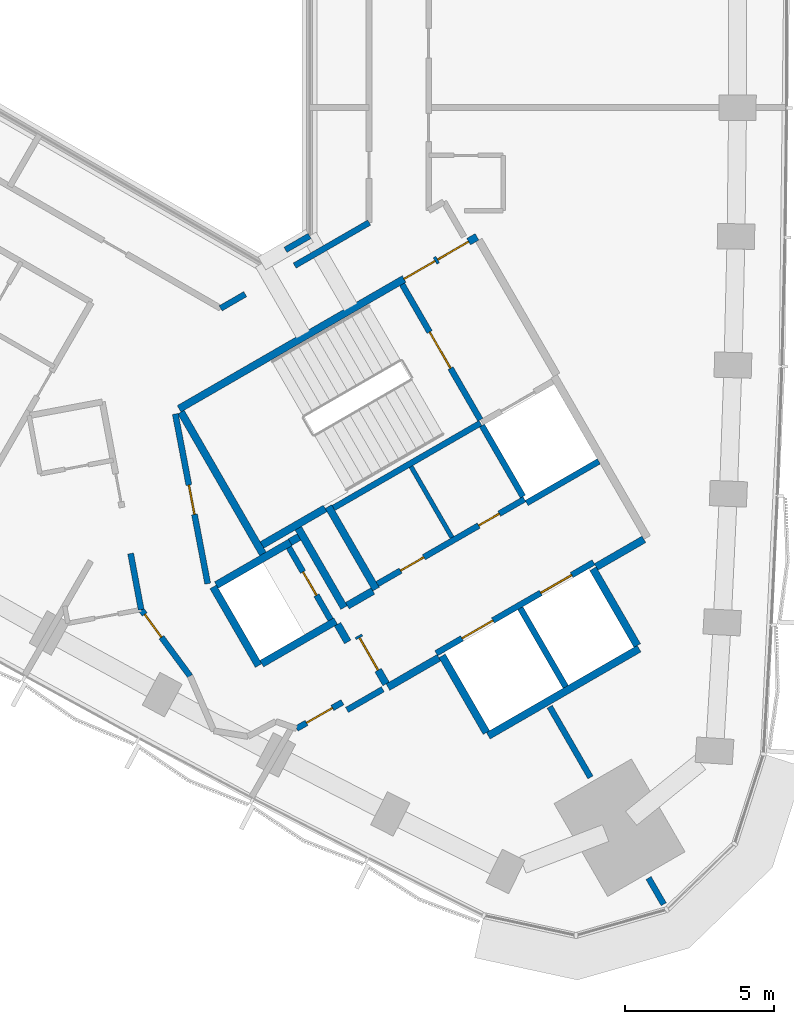
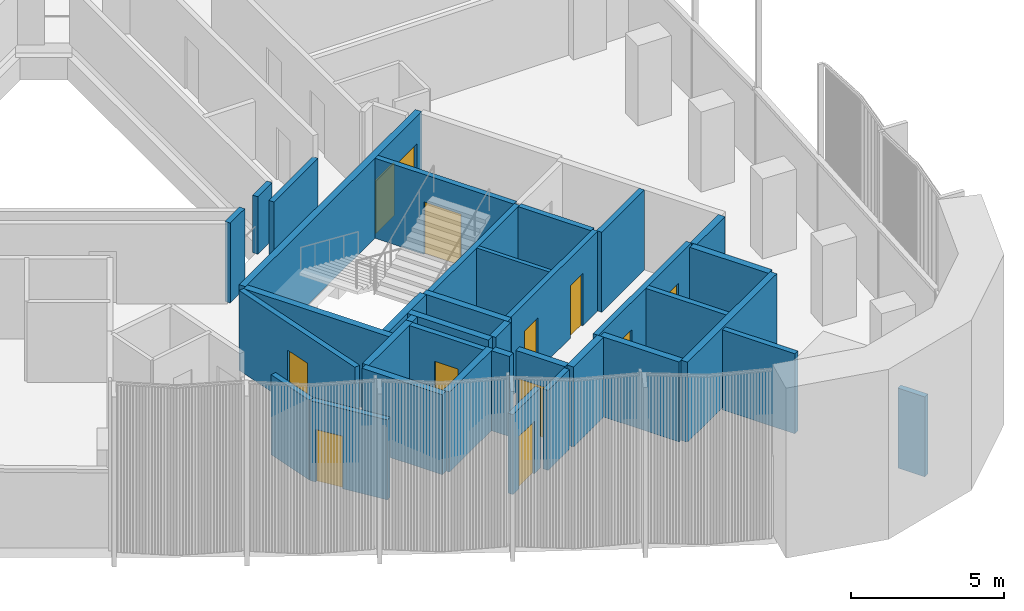
# One storey, part 9 of 15: 36 walls, 12 doors, 12 openings.
"""IFC4 building model written with IfcOpenShell, lengths in metres."""

from ifc_helpers import new_model, si_unit, direction, frame, frame_2d, origin, place, context, subcontext, project, spatial, rectangle, extrude, material, layer, layer_set, type_object, element, fill, save


model = new_model("IFC4")

# Units and contexts
model_context = context("Model", 3, precision=1e-05, world=origin(), true_north=direction((0.0, 1.0)))
body_context = subcontext(model_context, "Body", "Model", "MODEL_VIEW")
ifc_project = project(units=[si_unit("LENGTHUNIT", "METRE"), si_unit("AREAUNIT", "SQUARE_METRE"), si_unit("VOLUMEUNIT", "CUBIC_METRE"), si_unit("PLANEANGLEUNIT", "RADIAN"), si_unit("MASSUNIT", "GRAM", prefix="KILO")], contexts=[model_context])

# Site, building, storey
site_placement = place(None, origin())
site = spatial("IfcSite", under=ifc_project, at=site_placement, CompositionType="ELEMENT")
building_placement = place(site_placement, origin())
building = spatial("IfcBuilding", under=site, at=building_placement, Name="Tamra Quay Hotel Tower", CompositionType="ELEMENT")
storey_placement = place(building_placement, frame((0.0, 0.0, 128.800048828125)))
storey = spatial("IfcBuildingStorey", under=building, at=storey_placement, Name="L31", CompositionType="ELEMENT", Elevation=128.800048828125)

# Wall, openings, doors
ifc_material_1 = material(Name="Concrete M70", Category="concrete")
ifc_layer_1 = layer(ifc_material_1, 0.199951171875)
ifc_layer_set_1 = layer_set([ifc_layer_1], Name="Concrete M70 core wall 200")
wall_type_1 = type_object("IfcWallType", Name="Concrete M70 core wall 200", PredefinedType="SHEAR", material=ifc_layer_set_1)
wall_1_placement = place(storey_placement, frame((9.052490234375, -20.479736328125, 0.0), z_axis=(0.0, 0.0, 1.0), x_axis=(0.866030299012, 0.499991521122, 0.0)))
wall_1 = element("IfcWall", 1, at=wall_1_placement, inside=storey, type_object=wall_type_1, Name="CW2", PredefinedType="SHEAR", context=body_context, shape_type="SweptSolid", body=[
    extrude(rectangle(XDim=6.10009765625, YDim=0.199951171875, at=frame_2d((3.050048828125, 0.0))), origin(), (0.0, 0.0, 1.0), 3.199951171875),
])
opening_1_placement = place(wall_1_placement, frame((1.0, 0.0, 0.0)))
opening_1 = element("IfcOpeningElement", 2, at=opening_1_placement, cuts=wall_1, Name="Opening LD", PredefinedType="OPENING", context=body_context, shape_type="SweptSolid", body=[
    extrude(rectangle(XDim=1.199951171875, YDim=2.10009765625, at=frame_2d((0.60009765625, 1.050048828125))), frame((0.0, 0.10986328125, 0.0), z_axis=(0.0, -1.0, 0.0), x_axis=(1.0, 0.0, 0.0)), (0.0, 0.0, 1.0), 0.219970703125),
])
opening_2_placement = place(wall_1_placement, frame((4.05029296875, 0.0, 0.0)))
opening_2 = element("IfcOpeningElement", 3, at=opening_2_placement, cuts=wall_1, Name="Opening LD", PredefinedType="OPENING", context=body_context, shape_type="SweptSolid", body=[
    extrude(rectangle(XDim=1.199951171875, YDim=2.10009765625, at=frame_2d((0.60009765625, 1.050048828125))), frame((0.0, 0.10986328125, 0.0), z_axis=(0.0, -1.0, 0.0), x_axis=(1.0, 0.0, 0.0)), (0.0, 0.0, 1.0), 0.219970703125),
])
ifc_material_2 = material(Name="Landing door LD 1200 double door sliding")
door_type_1 = type_object("IfcDoorType", Name="Landing door LD 1200 double door sliding", OperationType="DOUBLE_DOOR_SLIDING", PredefinedType="DOOR", material=ifc_material_2)
door_1_placement = place(opening_1_placement, origin())
door_1 = element("IfcDoor", 4, at=door_1_placement, inside=storey, type_object=door_type_1, Name="LD", OperationType="DOUBLE_DOOR_SLIDING", OverallHeight=2.10009765625, OverallWidth=1.199951171875, PredefinedType="DOOR", context=body_context, shape_type="SweptSolid", body=[
    extrude(rectangle(XDim=1.199951171875, YDim=2.10009765625, at=frame_2d((0.60009765625, 1.050048828125))), frame((0.0, 0.02490234375, 0.0), z_axis=(0.0, -1.0, 0.0), x_axis=(1.0, 0.0, 0.0)), (0.0, 0.0, 1.0), 0.050048828125),
])
fill(opening_1, door_1)
door_2_placement = place(opening_2_placement, origin())
door_2 = element("IfcDoor", 5, at=door_2_placement, inside=storey, type_object=door_type_1, Name="LD", OperationType="DOUBLE_DOOR_SLIDING", OverallHeight=2.10009765625, OverallWidth=1.199951171875, PredefinedType="DOOR", context=body_context, shape_type="SweptSolid", body=[
    extrude(rectangle(XDim=1.199951171875, YDim=2.10009765625, at=frame_2d((0.60009765625, 1.050048828125))), frame((0.0, 0.02490234375, 0.0), z_axis=(0.0, -1.0, 0.0), x_axis=(1.0, 0.0, 0.0)), (0.0, 0.0, 1.0), 0.050048828125),
])
fill(opening_2, door_2)

# Wall
wall_2_placement = place(storey_placement, frame((10.537841796875, -12.751953125, 0.0), z_axis=(0.0, 0.0, 1.0), x_axis=(-0.866038630372, -0.499977090179, 0.0)))
element("IfcWall", 6, at=wall_2_placement, inside=storey, type_object=wall_type_1, Name="CW2", PredefinedType="SHEAR", context=body_context, shape_type="SweptSolid", body=[
    extrude(rectangle(XDim=5.698974609375, YDim=0.199951171875, at=frame_2d((2.849609375, 0.0))), origin(), (0.0, 0.0, 1.0), 3.199951171875),
])

# Wall, openings, doors
wall_3_placement = place(storey_placement, frame((7.0771484375, -18.156005859375, 0.0), z_axis=(0.0, 0.0, 1.0), x_axis=(0.866038630372, 0.499977090179, 0.0)))
wall_3 = element("IfcWall", 7, at=wall_3_placement, inside=storey, type_object=wall_type_1, Name="CW2", PredefinedType="SHEAR", context=body_context, shape_type="SweptSolid", body=[
    extrude(rectangle(XDim=5.698974609375, YDim=0.199951171875, at=frame_2d((2.849609375, 0.0))), origin(), (0.0, 0.0, 1.0), 3.199951171875),
])
opening_3_placement = place(wall_3_placement, frame((0.89892578125, 0.0, 0.0)))
opening_3 = element("IfcOpeningElement", 8, at=opening_3_placement, cuts=wall_3, Name="Opening D2", PredefinedType="OPENING", context=body_context, shape_type="SweptSolid", body=[
    extrude(rectangle(XDim=0.89990234375, YDim=2.10009765625, at=frame_2d((0.449951171875, 1.050048828125))), frame((0.0, 0.10986328125, 0.0), z_axis=(0.0, -1.0, 0.0), x_axis=(1.0, 0.0, 0.0)), (0.0, 0.0, 1.0), 0.219970703125),
])
opening_4_placement = place(wall_3_placement, frame((3.924072265625, 0.0, 0.0)))
opening_4 = element("IfcOpeningElement", 9, at=opening_4_placement, cuts=wall_3, Name="Opening D3", PredefinedType="OPENING", context=body_context, shape_type="SweptSolid", body=[
    extrude(rectangle(XDim=0.800048828125, YDim=2.10009765625, at=frame_2d((0.39990234375, 1.050048828125))), frame((0.0, 0.10986328125, 0.0), z_axis=(0.0, -1.0, 0.0), x_axis=(1.0, 0.0, 0.0)), (0.0, 0.0, 1.0), 0.219970703125),
])
ifc_material_3 = material(Name="Core door D2 900x2100 LH")
door_type_2 = type_object("IfcDoorType", Name="Core door D2 900x2100 LH", OperationType="NOTDEFINED", PredefinedType="DOOR", material=ifc_material_3)
door_3_placement = place(opening_3_placement, origin())
door_3 = element("IfcDoor", 10, at=door_3_placement, inside=storey, type_object=door_type_2, Name="D2", OperationType="SINGLE_SWING_LEFT", OverallHeight=2.10009765625, OverallWidth=0.89990234375, PredefinedType="DOOR", context=body_context, shape_type="SweptSolid", body=[
    extrude(rectangle(XDim=0.89990234375, YDim=2.10009765625, at=frame_2d((0.449951171875, 1.050048828125))), frame((0.0, 0.02490234375, 0.0), z_axis=(0.0, -1.0, 0.0), x_axis=(1.0, 0.0, 0.0)), (0.0, 0.0, 1.0), 0.050048828125),
])
fill(opening_3, door_3)
ifc_material_4 = material(Name="Core door D3 800x2100 RH")
door_type_3 = type_object("IfcDoorType", Name="Core door D3 800x2100 RH", OperationType="NOTDEFINED", PredefinedType="DOOR", material=ifc_material_4)
door_4_placement = place(opening_4_placement, origin())
door_4 = element("IfcDoor", 11, at=door_4_placement, inside=storey, type_object=door_type_3, Name="D3", OperationType="SINGLE_SWING_RIGHT", OverallHeight=2.10009765625, OverallWidth=0.800048828125, PredefinedType="DOOR", context=body_context, shape_type="SweptSolid", body=[
    extrude(rectangle(XDim=0.800048828125, YDim=2.10009765625, at=frame_2d((0.39990234375, 1.050048828125))), frame((0.0, 0.02490234375, 0.0), z_axis=(0.0, -1.0, 0.0), x_axis=(1.0, 0.0, 0.0)), (0.0, 0.0, 1.0), 0.050048828125),
])
fill(opening_4, door_4)

# Wall, opening, door
wall_4_placement = place(storey_placement, frame((7.906494140625, -8.094482421875, 0.0), z_axis=(0.0, 0.0, 1.0), x_axis=(0.500024287448, -0.866011380966, 0.0)))
wall_4 = element("IfcWall", 12, at=wall_4_placement, inside=storey, type_object=wall_type_1, Name="CW2", PredefinedType="SHEAR", context=body_context, shape_type="SweptSolid", body=[
    extrude(rectangle(XDim=5.251220703125, YDim=0.199951171875, at=frame_2d((2.62548828125, 0.0))), origin(), (0.0, 0.0, 1.0), 3.199951171875),
])
opening_5_placement = place(wall_4_placement, frame((1.84912109375, 0.0, 0.0)))
opening_5 = element("IfcOpeningElement", 13, at=opening_5_placement, cuts=wall_4, Name="Opening FD2", PredefinedType="OPENING", context=body_context, shape_type="SweptSolid", body=[
    extrude(rectangle(XDim=1.39990234375, YDim=2.10009765625, at=frame_2d((0.699951171875, 1.050048828125))), frame((0.0, 0.10986328125, 0.0), z_axis=(0.0, -1.0, 0.0), x_axis=(1.0, 0.0, 0.0)), (0.0, 0.0, 1.0), 0.219970703125),
])
ifc_material_5 = material(Name="Core door FD2 1400x2100 RH")
door_type_4 = type_object("IfcDoorType", Name="Core door FD2 1400x2100 RH", OperationType="NOTDEFINED", PredefinedType="DOOR", material=ifc_material_5)
door_5_placement = place(opening_5_placement, origin())
door_5 = element("IfcDoor", 14, at=door_5_placement, inside=storey, type_object=door_type_4, Name="FD2", OperationType="SINGLE_SWING_RIGHT", OverallHeight=2.10009765625, OverallWidth=1.39990234375, PredefinedType="DOOR", context=body_context, shape_type="SweptSolid", body=[
    extrude(rectangle(XDim=1.39990234375, YDim=2.10009765625, at=frame_2d((0.699951171875, 1.050048828125))), frame((0.0, 0.02490234375, 0.0), z_axis=(0.0, -1.0, 0.0), x_axis=(1.0, 0.0, 0.0)), (0.0, 0.0, 1.0), 0.050048828125),
])
fill(opening_5, door_5)

# Wall
wall_5_placement = place(storey_placement, frame((11.87451171875, -18.967041015625, 0.0), z_axis=(0.0, 0.0, 1.0), x_axis=(0.49998131003, -0.866036194175, 0.0)))
element("IfcWall", 15, at=wall_5_placement, inside=storey, type_object=wall_type_1, Name="CW2", PredefinedType="SHEAR", context=body_context, shape_type="SweptSolid", body=[
    extrude(rectangle(XDim=3.0478515625, YDim=0.199951171875, at=frame_2d((1.52392578125, 0.0))), origin(), (0.0, 0.0, 1.0), 3.199951171875),
])

# Wall, opening, door
wall_6_placement = place(storey_placement, frame((5.50341796875, -19.352294921875, 0.0), z_axis=(0.0, 0.0, 1.0), x_axis=(-0.499986818241, 0.866033014143, 0.0)))
wall_6 = element("IfcWall", 16, at=wall_6_placement, inside=storey, type_object=wall_type_1, Name="CW2", PredefinedType="SHEAR", context=body_context, shape_type="SweptSolid", body=[
    extrude(rectangle(XDim=2.7978515625, YDim=0.199951171875, at=frame_2d((1.39892578125, 0.0))), origin(), (0.0, 0.0, 1.0), 3.199951171875),
])
opening_6_placement = place(wall_6_placement, frame((0.948974609375, 0.0, 0.0)))
opening_6 = element("IfcOpeningElement", 17, at=opening_6_placement, cuts=wall_6, Name="Opening D1", PredefinedType="OPENING", context=body_context, shape_type="SweptSolid", body=[
    extrude(rectangle(XDim=0.89990234375, YDim=2.10009765625, at=frame_2d((0.449951171875, 1.050048828125))), frame((0.0, 0.10986328125, 0.0), z_axis=(0.0, -1.0, 0.0), x_axis=(1.0, 0.0, 0.0)), (0.0, 0.0, 1.0), 0.219970703125),
])
ifc_material_6 = material(Name="Core door D1 900x2100 LH")
door_type_5 = type_object("IfcDoorType", Name="Core door D1 900x2100 LH", OperationType="NOTDEFINED", PredefinedType="DOOR", material=ifc_material_6)
door_6_placement = place(opening_6_placement, origin())
door_6 = element("IfcDoor", 18, at=door_6_placement, inside=storey, type_object=door_type_5, Name="D1", OperationType="SINGLE_SWING_LEFT", OverallHeight=2.10009765625, OverallWidth=0.89990234375, PredefinedType="DOOR", context=body_context, shape_type="SweptSolid", body=[
    extrude(rectangle(XDim=0.89990234375, YDim=2.10009765625, at=frame_2d((0.449951171875, 1.050048828125))), frame((0.0, 0.02490234375, 0.0), z_axis=(0.0, -1.0, 0.0), x_axis=(1.0, 0.0, 0.0)), (0.0, 0.0, 1.0), 0.050048828125),
])
fill(opening_6, door_6)

# Walls
wall_7_placement = place(storey_placement, frame((11.962646484375, -15.219970703125, 0.0), z_axis=(0.0, 0.0, 1.0), x_axis=(-0.500034990121, 0.866005201286, 0.0)))
element("IfcWall", 19, at=wall_7_placement, inside=storey, type_object=wall_type_1, Name="CW2", PredefinedType="SHEAR", context=body_context, shape_type="SweptSolid", body=[
    extrude(rectangle(XDim=2.749755859375, YDim=0.199951171875, at=frame_2d((1.375, 0.0))), origin(), (0.0, 0.0, 1.0), 3.199951171875),
])
wall_8_placement = place(storey_placement, frame((14.51171875, -14.037109375, 0.0), z_axis=(0.0, 0.0, 1.0), x_axis=(-0.866044696403, -0.499966582715, 0.0)))
element("IfcWall", 20, at=wall_8_placement, inside=storey, type_object=wall_type_1, Name="CW2", PredefinedType="SHEAR", context=body_context, shape_type="SweptSolid", body=[
    extrude(rectangle(XDim=2.799072265625, YDim=0.199951171875, at=frame_2d((1.3994140625, 0.0))), origin(), (0.0, 0.0, 1.0), 3.199951171875),
])

# Wall, openings, doors
ifc_layer_2 = layer(ifc_material_1, 0.25)
ifc_layer_set_2 = layer_set([ifc_layer_2], Name="Concrete M70 core wall 250")
wall_type_2 = type_object("IfcWallType", Name="Concrete M70 core wall 250", PredefinedType="SHEAR", material=ifc_layer_set_2)
wall_9_placement = place(storey_placement, frame((0.417236328125, -12.27294921875, 0.0), z_axis=(0.0, 0.0, 1.0), x_axis=(0.866021906294, 0.500006057782, 0.0)))
wall_9 = element("IfcWall", 21, at=wall_9_placement, inside=storey, type_object=wall_type_2, Name="CW1", PredefinedType="SHEAR", context=body_context, shape_type="SweptSolid", body=[
    extrude(rectangle(XDim=11.550048828125, YDim=0.25, at=frame_2d((5.77490234375, 0.0))), origin(), (0.0, 0.0, 1.0), 3.199951171875),
])
opening_7_placement = place(wall_9_placement, frame((10.024658203125, 0.0, 0.0)))
opening_7 = element("IfcOpeningElement", 22, at=opening_7_placement, cuts=wall_9, Name="Opening FD1", PredefinedType="OPENING", context=body_context, shape_type="SweptSolid", body=[
    extrude(rectangle(XDim=1.199951171875, YDim=2.10009765625, at=frame_2d((0.60009765625, 1.050048828125))), frame((0.0, 0.135009765625, 0.0), z_axis=(0.0, -1.0, 0.0), x_axis=(1.0, 0.0, 0.0)), (0.0, 0.0, 1.0), 0.27001953125),
])
opening_8_placement = place(wall_9_placement, frame((8.724609375, 0.0, 0.0)))
opening_8 = element("IfcOpeningElement", 23, at=opening_8_placement, cuts=wall_9, Name="Opening FD1", PredefinedType="OPENING", context=body_context, shape_type="SweptSolid", body=[
    extrude(rectangle(XDim=1.199951171875, YDim=2.10009765625, at=frame_2d((0.60009765625, 1.050048828125))), frame((0.0, 0.135009765625, 0.0), z_axis=(0.0, -1.0, 0.0), x_axis=(1.0, 0.0, 0.0)), (0.0, 0.0, 1.0), 0.27001953125),
])
ifc_material_7 = material(Name="Core door FD1 1200x2100 LH")
door_type_6 = type_object("IfcDoorType", Name="Core door FD1 1200x2100 LH", OperationType="NOTDEFINED", PredefinedType="DOOR", material=ifc_material_7)
door_7_placement = place(opening_7_placement, origin())
door_7 = element("IfcDoor", 24, at=door_7_placement, inside=storey, type_object=door_type_6, Name="FD1", OperationType="SINGLE_SWING_LEFT", OverallHeight=2.10009765625, OverallWidth=1.199951171875, PredefinedType="DOOR", context=body_context, shape_type="SweptSolid", body=[
    extrude(rectangle(XDim=1.199951171875, YDim=2.10009765625, at=frame_2d((0.60009765625, 1.050048828125))), frame((0.0, 0.02490234375, 0.0), z_axis=(0.0, -1.0, 0.0), x_axis=(1.0, 0.0, 0.0)), (0.0, 0.0, 1.0), 0.050048828125),
])
fill(opening_7, door_7)
ifc_material_8 = material(Name="Core door FD1 1200x2100 RH")
door_type_7 = type_object("IfcDoorType", Name="Core door FD1 1200x2100 RH", OperationType="NOTDEFINED", PredefinedType="DOOR", material=ifc_material_8)
door_8_placement = place(opening_8_placement, origin())
door_8 = element("IfcDoor", 25, at=door_8_placement, inside=storey, type_object=door_type_7, Name="FD1", OperationType="SINGLE_SWING_RIGHT", OverallHeight=2.10009765625, OverallWidth=1.199951171875, PredefinedType="DOOR", context=body_context, shape_type="SweptSolid", body=[
    extrude(rectangle(XDim=1.199951171875, YDim=2.10009765625, at=frame_2d((0.60009765625, 1.050048828125))), frame((0.0, 0.02490234375, 0.0), z_axis=(0.0, -1.0, 0.0), x_axis=(1.0, 0.0, 0.0)), (0.0, 0.0, 1.0), 0.050048828125),
])
fill(opening_8, door_8)

# Walls
wall_10_placement = place(storey_placement, frame((15.86474609375, -20.328369140625, 0.0), z_axis=(0.0, 0.0, 1.0), x_axis=(-0.86602852612, -0.499994591916, 0.0)))
element("IfcWall", 26, at=wall_10_placement, inside=storey, type_object=wall_type_2, Name="CW1", PredefinedType="SHEAR", context=body_context, shape_type="SweptSolid", body=[
    extrude(rectangle(XDim=5.85009765625, YDim=0.25, at=frame_2d((2.925048828125, 0.0))), origin(), (0.0, 0.0, 1.0), 3.199951171875),
])
wall_11_placement = place(storey_placement, frame((3.23486328125, -17.15283203125, 0.0), z_axis=(0.0, 0.0, 1.0), x_axis=(-0.500008851346, 0.866020293397, 0.0)))
element("IfcWall", 27, at=wall_11_placement, inside=storey, type_object=wall_type_2, Name="CW1", PredefinedType="SHEAR", context=body_context, shape_type="SweptSolid", body=[
    extrude(rectangle(XDim=5.509765625, YDim=0.25, at=frame_2d((2.7548828125, 0.0))), origin(), (0.0, 0.0, 1.0), 3.199951171875),
])
wall_12_placement = place(storey_placement, frame((7.030517578125, -18.327392578125, 0.0), z_axis=(0.0, 0.0, 1.0), x_axis=(-0.499971222258, 0.866042017984, 0.0)))
element("IfcWall", 28, at=wall_12_placement, inside=storey, type_object=wall_type_2, Name="CW1", PredefinedType="SHEAR", context=body_context, shape_type="SweptSolid", body=[
    extrude(rectangle(XDim=3.199951171875, YDim=0.25, at=frame_2d((1.60009765625, 0.0))), origin(), (0.0, 0.0, 1.0), 3.199951171875),
])
for number, where, z_axis, x_axis, name in (
    (29, (14.314697265625, -17.643798828125, 0.0), (0.0, 0.0, 1.0), (0.500023226632, -0.866011993467, 0.0), "CW1"),
    (30, (10.73583984375, -23.144775390625, 0.0), (0.0, 0.0, 1.0), (-0.500023226632, 0.866011993467, 0.0), "CW1"),
):
    element("IfcWall", number, at=place(storey_placement, frame(where, z_axis=z_axis, x_axis=x_axis)), inside=storey, type_object=wall_type_2, Name=name, PredefinedType="SHEAR", context=body_context, shape_type="SweptSolid", body=[
        extrude(rectangle(XDim=2.974365234375, YDim=0.25, at=frame_2d((1.4873046875, 0.0))), origin(), (0.0, 0.0, 1.0), 3.199951171875),
    ])
wall_13_placement = place(storey_placement, frame((3.085205078125, -20.893798828125, 0.0), z_axis=(0.0, 0.0, 1.0), x_axis=(-0.499978833458, 0.866037623948, 0.0)))
element("IfcWall", 31, at=wall_13_placement, inside=storey, type_object=wall_type_2, Name="CW1", PredefinedType="SHEAR", context=body_context, shape_type="SweptSolid", body=[
    extrude(rectangle(XDim=3.050048828125, YDim=0.25, at=frame_2d((1.52490234375, 0.0))), origin(), (0.0, 0.0, 1.0), 3.199951171875),
])
wall_14_placement = place(storey_placement, frame((1.6689453125, -18.189697265625, 0.0), z_axis=(0.0, 0.0, 1.0), x_axis=(0.866042235819, 0.499970844928, 0.0)))
element("IfcWall", 32, at=wall_14_placement, inside=storey, type_object=wall_type_2, Name="CW1", PredefinedType="SHEAR", context=body_context, shape_type="SweptSolid", body=[
    extrude(rectangle(XDim=2.864501953125, YDim=0.25, at=frame_2d((1.43212890625, 0.0))), origin(), (0.0, 0.0, 1.0), 3.199951171875),
])
wall_15_placement = place(storey_placement, frame((5.6748046875, -19.39892578125, 0.0), z_axis=(0.0, 0.0, 1.0), x_axis=(-0.866026637627, -0.499997862916, 0.0)))
element("IfcWall", 33, at=wall_15_placement, inside=storey, type_object=wall_type_2, Name="CW1", PredefinedType="SHEAR", context=body_context, shape_type="SweptSolid", body=[
    extrude(rectangle(XDim=2.86474609375, YDim=0.25, at=frame_2d((1.432373046875, 0.0))), origin(), (0.0, 0.0, 1.0), 3.199951171875),
])
wall_16_placement = place(storey_placement, frame((4.414306640625, -16.275634765625, 0.0), z_axis=(0.0, 0.0, 1.0), x_axis=(0.500003324108, -0.866023484601, 0.0)))
element("IfcWall", 34, at=wall_16_placement, inside=storey, type_object=wall_type_2, Name="CW1", PredefinedType="SHEAR", context=body_context, shape_type="SweptSolid", body=[
    extrude(rectangle(XDim=3.0849609375, YDim=0.25, at=frame_2d((1.54248046875, 0.0))), origin(), (0.0, 0.0, 1.0), 3.199951171875),
])
wall_17_placement = place(storey_placement, frame((5.322021484375, -15.618896484375, 0.0), z_axis=(0.0, 0.0, 1.0), x_axis=(-0.866026229868, -0.499998569178, 0.0)))
element("IfcWall", 35, at=wall_17_placement, inside=storey, type_object=wall_type_2, Name="CW1", PredefinedType="SHEAR", context=body_context, shape_type="SweptSolid", body=[
    extrude(rectangle(XDim=2.44921875, YDim=0.25, at=frame_2d((1.224609375, 0.0))), origin(), (0.0, 0.0, 1.0), 3.199951171875),
])
wall_18_placement = place(storey_placement, frame((9.139892578125, -20.63134765625, 0.0), z_axis=(0.0, 0.0, 1.0), x_axis=(-0.866043531843, -0.499968599967, 0.0)))
element("IfcWall", 36, at=wall_18_placement, inside=storey, type_object=wall_type_2, Name="CW1", PredefinedType="SHEAR", context=body_context, shape_type="SweptSolid", body=[
    extrude(rectangle(XDim=1.974853515625, YDim=0.25, at=frame_2d((0.9873046875, 0.0))), origin(), (0.0, 0.0, 1.0), 3.199951171875),
])
wall_19_placement = place(storey_placement, frame((16.024658203125, -16.656494140625, 0.0), z_axis=(0.0, 0.0, 1.0), x_axis=(-0.866016279763, -0.500015802937, 0.0)))
element("IfcWall", 37, at=wall_19_placement, inside=storey, type_object=wall_type_2, Name="CW1", PredefinedType="SHEAR", context=body_context, shape_type="SweptSolid", body=[
    extrude(rectangle(XDim=1.84912109375, YDim=0.25, at=frame_2d((0.924560546875, 0.0))), origin(), (0.0, 0.0, 1.0), 3.199951171875),
])

# Wall, opening, door
wall_20_placement = place(storey_placement, frame((7.3671875, -21.51025390625, 0.0), z_axis=(0.0, 0.0, 1.0), x_axis=(-0.499983108224, 0.866035156036, 0.0)))
wall_20 = element("IfcWall", 38, at=wall_20_placement, inside=storey, type_object=wall_type_2, Name="CW1", PredefinedType="SHEAR", context=body_context, shape_type="SweptSolid", body=[
    extrude(rectangle(XDim=1.86474609375, YDim=0.25, at=frame_2d((0.932373046875, 0.0))), origin(), (0.0, 0.0, 1.0), 3.199951171875),
])
opening_9_placement = place(wall_20_placement, frame((0.53466796875, 0.0, 0.0)))
opening_9 = element("IfcOpeningElement", 39, at=opening_9_placement, cuts=wall_20, Name="Opening FD3", PredefinedType="OPENING", context=body_context, shape_type="SweptSolid", body=[
    extrude(rectangle(XDim=1.25, YDim=2.10009765625, at=frame_2d((0.625, 1.050048828125))), frame((0.0, 0.135009765625, 0.0), z_axis=(0.0, -1.0, 0.0), x_axis=(1.0, 0.0, 0.0)), (0.0, 0.0, 1.0), 0.27001953125),
])
ifc_material_9 = material(Name="Core door FD3 1250x2100 LH")
door_type_8 = type_object("IfcDoorType", Name="Core door FD3 1250x2100 LH", OperationType="NOTDEFINED", PredefinedType="DOOR", material=ifc_material_9)
door_9_placement = place(opening_9_placement, origin())
door_9 = element("IfcDoor", 40, at=door_9_placement, inside=storey, type_object=door_type_8, Name="FD3", OperationType="SINGLE_SWING_LEFT", OverallHeight=2.10009765625, OverallWidth=1.25, PredefinedType="DOOR", context=body_context, shape_type="SweptSolid", body=[
    extrude(rectangle(XDim=1.25, YDim=2.10009765625, at=frame_2d((0.625, 1.050048828125))), frame((0.0, 0.02490234375, 0.0), z_axis=(0.0, -1.0, 0.0), x_axis=(1.0, 0.0, 0.0)), (0.0, 0.0, 1.0), 0.050048828125),
])
fill(opening_9, door_9)

# Walls
wall_21_placement = place(storey_placement, frame((6.0654296875, -18.884765625, 0.0), z_axis=(0.0, 0.0, 1.0), x_axis=(0.866017078145, 0.500014420154, 0.0)))
element("IfcWall", 41, at=wall_21_placement, inside=storey, type_object=wall_type_2, Name="CW1", PredefinedType="SHEAR", context=body_context, shape_type="SweptSolid", body=[
    extrude(rectangle(XDim=0.9892578125, YDim=0.25, at=frame_2d((0.49462890625, 0.0))), origin(), (0.0, 0.0, 1.0), 3.199951171875),
])
wall_22_placement = place(storey_placement, frame((6.07958984375, -20.100341796875, 0.0), z_axis=(0.0, 0.0, 1.0), x_axis=(-0.500051773299, 0.865995510393, 0.0)))
element("IfcWall", 42, at=wall_22_placement, inside=storey, type_object=wall_type_2, Name="CW1", PredefinedType="SHEAR", context=body_context, shape_type="SweptSolid", body=[
    extrude(rectangle(XDim=0.6845703125, YDim=0.25, at=frame_2d((0.34228515625, 0.0))), origin(), (0.0, 0.0, 1.0), 3.199951171875),
])
wall_23_placement = place(storey_placement, frame((4.144775390625, -16.748779296875, 0.0), z_axis=(0.0, 0.0, 1.0), x_axis=(0.866185586049, 0.49972245349, 0.0)))
element("IfcWall", 43, at=wall_23_placement, inside=storey, type_object=wall_type_2, Name="CW1", PredefinedType="SHEAR", context=body_context, shape_type="SweptSolid", body=[
    extrude(rectangle(XDim=0.344482421875, YDim=0.25, at=frame_2d((0.17236328125, 0.0))), origin(), (0.0, 0.0, 1.0), 3.199951171875),
])
ifc_material_10 = material(Name="Blockwork", Category="masonry")
ifc_layer_3 = layer(ifc_material_10, 0.14990234375)
ifc_layer_set_3 = layer_set([ifc_layer_3], Name="Core partition block 150")
wall_type_3 = type_object("IfcWallType", Name="Core partition block 150", PredefinedType="PARTITIONING", material=ifc_layer_set_3)
wall_24_placement = place(storey_placement, frame((8.20654296875, -14.214111328125, 0.0), z_axis=(0.0, 0.0, 1.0), x_axis=(0.50002746344, -0.86600954718, 0.0)))
element("IfcWall", 44, at=wall_24_placement, inside=storey, type_object=wall_type_3, Name="CP1", PredefinedType="PARTITIONING", context=body_context, shape_type="SweptSolid", body=[
    extrude(rectangle(XDim=2.748291015625, YDim=0.14990234375, at=frame_2d((1.3740234375, 0.0))), origin(), (0.0, 0.0, 1.0), 3.199951171875),
])
ifc_material_11 = material(Name="Partition corridor wall")
ifc_layer_4 = layer(ifc_material_11, 0.199951171875)
ifc_layer_set_4 = layer_set([ifc_layer_4], Name="Partition corridor wall")
wall_type_4 = type_object("IfcWallType", Name="Partition corridor wall", PredefinedType="PARTITIONING", material=ifc_layer_set_4)
wall_25_placement = place(storey_placement, frame((-1.210205078125, -17.131103515625, 0.0), z_axis=(0.0, 0.0, 1.0), x_axis=(0.183950101319, -0.982935582948, 0.0)))
element("IfcWall", 45, at=wall_25_placement, inside=storey, type_object=wall_type_4, Name="W-C", PredefinedType="PARTITIONING", context=body_context, shape_type="SweptSolid", body=[
    extrude(rectangle(XDim=1.91650390625, YDim=0.199951171875, at=frame_2d((0.958251953125, 0.0))), origin(), (0.0, 0.0, 1.0), 3.199951171875),
])

# Wall, opening, door
wall_26_placement = place(storey_placement, frame((-0.85791015625, -19.01611328125, 0.0), z_axis=(0.0, 0.0, 1.0), x_axis=(0.593123867414, -0.805111220829, 0.0)))
wall_26 = element("IfcWall", 46, at=wall_26_placement, inside=storey, type_object=wall_type_4, Name="W-C", PredefinedType="PARTITIONING", context=body_context, shape_type="SweptSolid", body=[
    extrude(rectangle(XDim=2.769775390625, YDim=0.199951171875, at=frame_2d((1.384765625, 0.0))), origin(), (0.0, 0.0, 1.0), 3.199951171875),
])
opening_10_placement = place(wall_26_placement, frame((0.199951171875, 0.0, 0.0)))
opening_10 = element("IfcOpeningElement", 47, at=opening_10_placement, cuts=wall_26, Name="Opening L31-D021", PredefinedType="OPENING", context=body_context, shape_type="SweptSolid", body=[
    extrude(rectangle(XDim=0.949951171875, YDim=2.10009765625, at=frame_2d((0.47509765625, 1.050048828125))), frame((0.0, 0.10986328125, 0.0), z_axis=(0.0, -1.0, 0.0), x_axis=(1.0, 0.0, 0.0)), (0.0, 0.0, 1.0), 0.219970703125),
])
ifc_material_12 = material(Name="Door guest room 950x2100")
door_type_9 = type_object("IfcDoorType", Name="Door guest room 950x2100", OperationType="NOTDEFINED", PredefinedType="DOOR", material=ifc_material_12)
door_10_placement = place(opening_10_placement, frame((0.949951171875, 0.0, 0.0), z_axis=(0.0, 0.0, 1.0), x_axis=(-1.0, 0.0, 0.0)))
door_10 = element("IfcDoor", 48, at=door_10_placement, inside=storey, type_object=door_type_9, Name="L31-D021", OperationType="SINGLE_SWING_LEFT", OverallHeight=2.10009765625, OverallWidth=0.949951171875, PredefinedType="DOOR", context=body_context, shape_type="SweptSolid", body=[
    extrude(rectangle(XDim=0.949951171875, YDim=2.10009765625, at=frame_2d((0.47509765625, 1.050048828125))), frame((0.0, 0.02490234375, 0.0), z_axis=(0.0, -1.0, 0.0), x_axis=(1.0, 0.0, 0.0)), (0.0, 0.0, 1.0), 0.050048828125),
])
fill(opening_10, door_10)

wall_27_placement = place(storey_placement, frame((0.2890625, -12.445068359375, 0.0), z_axis=(0.0, 0.0, 1.0), x_axis=(0.187668946952, -0.982232338273, 0.0)))
wall_27 = element("IfcWall", 49, at=wall_27_placement, inside=storey, type_object=wall_type_4, Name="W-C", PredefinedType="PARTITIONING", context=body_context, shape_type="SweptSolid", body=[
    extrude(rectangle(XDim=5.802001953125, YDim=0.199951171875, at=frame_2d((2.90087890625, 0.0))), origin(), (0.0, 0.0, 1.0), 3.199951171875),
])
opening_11_placement = place(wall_27_placement, frame((2.43310546875, 0.0, 0.0)))
opening_11 = element("IfcOpeningElement", 50, at=opening_11_placement, cuts=wall_27, Name="Opening L31-D020", PredefinedType="OPENING", context=body_context, shape_type="SweptSolid", body=[
    extrude(rectangle(XDim=1.0, YDim=2.10009765625, at=frame_2d((0.5, 1.050048828125))), frame((0.0, 0.10986328125, 0.0), z_axis=(0.0, -1.0, 0.0), x_axis=(1.0, 0.0, 0.0)), (0.0, 0.0, 1.0), 0.219970703125),
])
ifc_material_13 = material(Name="Door guest room 1000x2100")
door_type_10 = type_object("IfcDoorType", Name="Door guest room 1000x2100", OperationType="NOTDEFINED", PredefinedType="DOOR", material=ifc_material_13)
door_11_placement = place(opening_11_placement, origin())
door_11 = element("IfcDoor", 51, at=door_11_placement, inside=storey, type_object=door_type_10, Name="L31-D020", OperationType="SINGLE_SWING_LEFT", OverallHeight=2.10009765625, OverallWidth=1.0, PredefinedType="DOOR", context=body_context, shape_type="SweptSolid", body=[
    extrude(rectangle(XDim=1.0, YDim=2.10009765625, at=frame_2d((0.5, 1.050048828125))), frame((0.0, 0.02490234375, 0.0), z_axis=(0.0, -1.0, 0.0), x_axis=(1.0, 0.0, 0.0)), (0.0, 0.0, 1.0), 0.050048828125),
])
fill(opening_11, door_11)

# Walls
wall_28_placement = place(storey_placement, frame((1.812255859375, -8.8984375, 0.0), z_axis=(0.0, 0.0, 1.0), x_axis=(0.866108878364, 0.499855389907, 0.0)))
element("IfcWall", 52, at=wall_28_placement, inside=storey, type_object=wall_type_4, Name="W-C", PredefinedType="PARTITIONING", context=body_context, shape_type="SweptSolid", body=[
    extrude(rectangle(XDim=0.953857421875, YDim=0.199951171875, at=frame_2d((0.47705078125, 0.0))), origin(), (0.0, 0.0, 1.0), 3.199951171875),
])
wall_29_placement = place(storey_placement, frame((4.297119140625, -7.464111328125, 0.0), z_axis=(0.0, 0.0, 1.0), x_axis=(0.86602521942, 0.500000319328, 0.0)))
element("IfcWall", 53, at=wall_29_placement, inside=storey, type_object=wall_type_4, Name="W-C", PredefinedType="PARTITIONING", context=body_context, shape_type="SweptSolid", body=[
    extrude(rectangle(XDim=2.89013671875, YDim=0.199951171875, at=frame_2d((1.445068359375, 0.0))), origin(), (0.0, 0.0, 1.0), 2.300048828125),
])

# Wall, opening, door
wall_30_placement = place(storey_placement, frame((4.362060546875, -23.011962890625, 0.0), z_axis=(0.0, 0.0, 1.0), x_axis=(0.866692617793, 0.49884256661, 0.0)))
wall_30 = element("IfcWall", 54, at=wall_30_placement, inside=storey, type_object=wall_type_4, Name="W-C", PredefinedType="PARTITIONING", context=body_context, shape_type="SweptSolid", body=[
    extrude(rectangle(XDim=1.778076171875, YDim=0.199951171875, at=frame_2d((0.88916015625, 0.0))), origin(), (0.0, 0.0, 1.0), 3.199951171875),
])
opening_12_placement = place(wall_30_placement, frame((0.388916015625, 0.0, 0.0)))
opening_12 = element("IfcOpeningElement", 55, at=opening_12_placement, cuts=wall_30, Name="Opening L31-D023", PredefinedType="OPENING", context=body_context, shape_type="SweptSolid", body=[
    extrude(rectangle(XDim=1.0, YDim=2.10009765625, at=frame_2d((0.5, 1.050048828125))), frame((0.0, 0.10986328125, 0.0), z_axis=(0.0, -1.0, 0.0), x_axis=(1.0, 0.0, 0.0)), (0.0, 0.0, 1.0), 0.219970703125),
])
door_12_placement = place(opening_12_placement, frame((1.0, 0.0, 0.0), z_axis=(0.0, 0.0, 1.0), x_axis=(-1.0, 0.0, 0.0)))
door_12 = element("IfcDoor", 56, at=door_12_placement, inside=storey, type_object=door_type_10, Name="L31-D023", OperationType="SINGLE_SWING_LEFT", OverallHeight=2.10009765625, OverallWidth=1.0, PredefinedType="DOOR", context=body_context, shape_type="SweptSolid", body=[
    extrude(rectangle(XDim=1.0, YDim=2.10009765625, at=frame_2d((0.5, 1.050048828125))), frame((0.0, 0.02490234375, 0.0), z_axis=(0.0, -1.0, 0.0), x_axis=(1.0, 0.0, 0.0)), (0.0, 0.0, 1.0), 0.050048828125),
])
fill(opening_12, door_12)

# Walls
wall_31_placement = place(storey_placement, frame((6.053955078125, -22.385009765625, 0.0), z_axis=(0.0, 0.0, 1.0), x_axis=(0.86593101922, 0.500163443238, 0.0)))
element("IfcWall", 57, at=wall_31_placement, inside=storey, type_object=wall_type_4, Name="W-C", PredefinedType="PARTITIONING", context=body_context, shape_type="SweptSolid", body=[
    extrude(rectangle(XDim=1.3896484375, YDim=0.199951171875, at=frame_2d((0.69482421875, 0.0))), origin(), (0.0, 0.0, 1.0), 3.199951171875),
])
ifc_material_14 = material(Name="Partition party wall")
ifc_layer_5 = layer(ifc_material_14, 0.199951171875)
ifc_layer_set_5 = layer_set([ifc_layer_5], Name="Partition party wall")
wall_type_5 = type_object("IfcWallType", Name="Partition party wall", PredefinedType="PARTITIONING", material=ifc_layer_set_5)
wall_32_placement = place(storey_placement, frame((3.989990234375, -6.93408203125, 0.0), z_axis=(0.0, 0.0, 1.0), x_axis=(0.865872609263, 0.500264554538, 0.0)))
element("IfcWall", 58, at=wall_32_placement, inside=storey, type_object=wall_type_5, Name="W-P", PredefinedType="PARTITIONING", context=body_context, shape_type="SweptSolid", body=[
    extrude(rectangle(XDim=0.935546875, YDim=0.199951171875, at=frame_2d((0.4677734375, 0.0))), origin(), (0.0, 0.0, 1.0), 2.300048828125),
])
wall_33_placement = place(storey_placement, frame((12.861083984375, -22.276123046875, 0.0), z_axis=(0.0, 0.0, 1.0), x_axis=(0.49982784299, -0.866124775868, 0.0)))
element("IfcWall", 59, at=wall_33_placement, inside=storey, type_object=wall_type_5, Name="W-P", PredefinedType="PARTITIONING", context=body_context, shape_type="SweptSolid", body=[
    extrude(rectangle(XDim=2.74072265625, YDim=0.199951171875, at=frame_2d((1.370361328125, 0.0))), origin(), (0.0, 0.0, 1.0), 3.199951171875),
])
wall_34_placement = place(storey_placement, frame((16.181884765625, -28.028076171875, 0.0), z_axis=(0.0, 0.0, 1.0), x_axis=(0.499625455419, -0.866241539236, 0.0)))
element("IfcWall", 60, at=wall_34_placement, inside=storey, type_object=wall_type_5, Name="W-P", PredefinedType="PARTITIONING", context=body_context, shape_type="SweptSolid", body=[
    extrude(rectangle(XDim=1.016845703125, YDim=0.199951171875, at=frame_2d((0.50830078125, 0.0))), origin(), (0.0, 0.0, 1.0), 3.199951171875),
])

save(model, "model.ifc")
